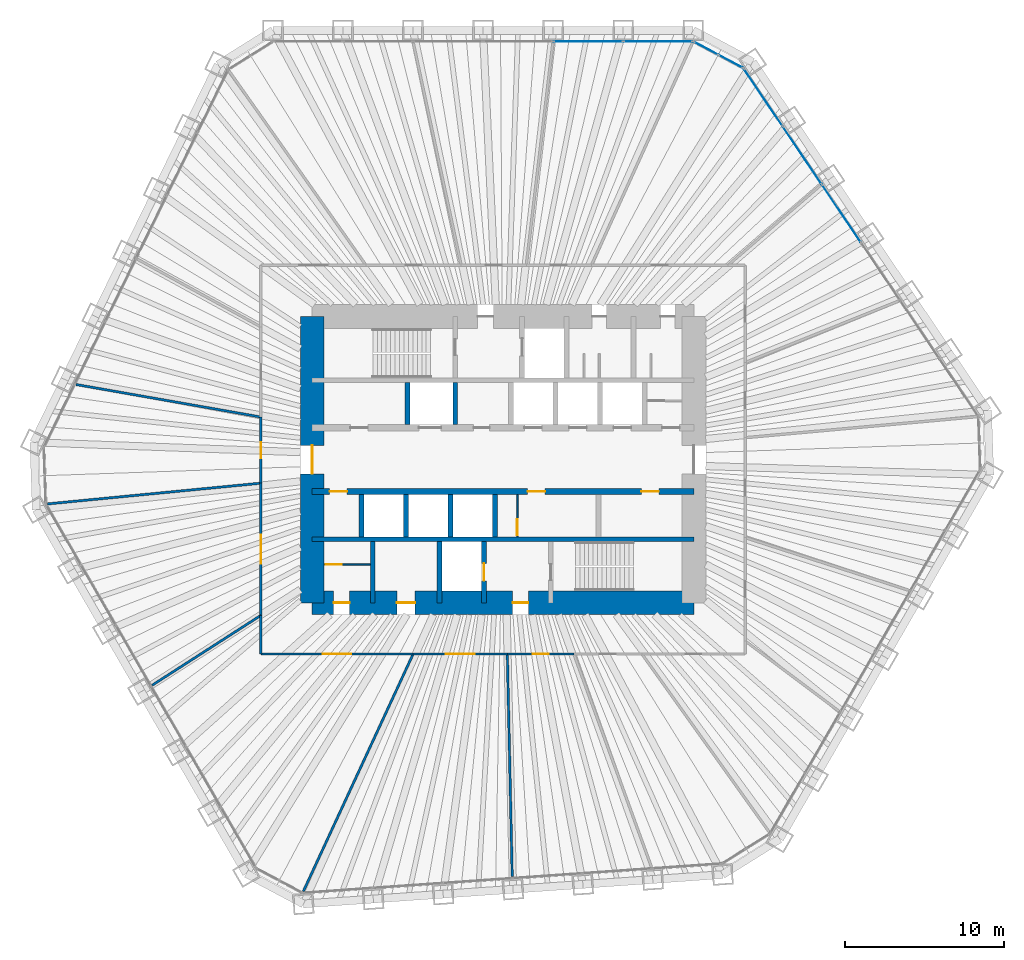
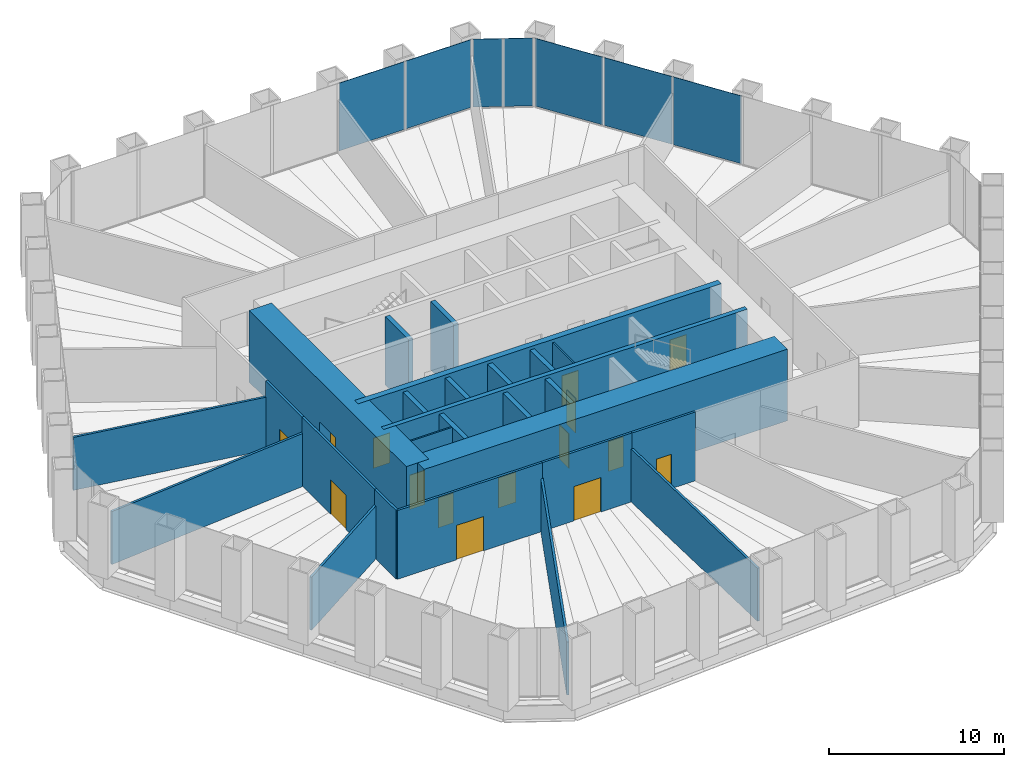
# One storey, part 10 of 13: 26 walls, 15 doors, 7 plates, 15 openings, 3 elements without a shape of their own.
"""IFC4 building model written with IfcOpenShell, lengths in metres."""

from ifc_helpers import new_model, si_unit, direction, frame, frame_2d, origin, origin_2d, place, context, subcontext, project, spatial, rectangle, extrude, material, layer, layer_set, type_object, element, fill, aggregate, save


model = new_model("IFC4")

# Units and contexts
model_context = context("Model", 3, precision=1e-05, world=origin(), true_north=direction((0.0, 1.0)))
body_context = subcontext(model_context, "Body", "Model", "MODEL_VIEW")
ifc_project = project(units=[si_unit("LENGTHUNIT", "METRE"), si_unit("AREAUNIT", "SQUARE_METRE"), si_unit("VOLUMEUNIT", "CUBIC_METRE"), si_unit("PLANEANGLEUNIT", "RADIAN"), si_unit("MASSUNIT", "GRAM", prefix="KILO")], contexts=[model_context])

# Site, building, storey
site_placement = place(None, origin())
site = spatial("IfcSite", under=ifc_project, at=site_placement, CompositionType="ELEMENT")
building_placement = place(site_placement, origin())
building = spatial("IfcBuilding", under=site, at=building_placement, Name="Qingtian Harvest Tower", CompositionType="ELEMENT")
storey_placement = place(building_placement, frame((0.0, 0.0, 62.0)))
storey = spatial("IfcBuildingStorey", under=building, at=storey_placement, Name="L12", CompositionType="ELEMENT", Elevation=62.0)

# Curtain wall, plates
ifc_material_1 = material(Name="Bronze-anodised aluminium curtain wall", Category="aluminium")
curtain_wall_type = type_object("IfcCurtainWallType", Name="Curtain wall CW2 farm reception", PredefinedType="USERDEFINED", material=ifc_material_1)
curtain_wall_1_placement = place(storey_placement, origin())
curtain_wall_1 = element("IfcCurtainWall", 1, at=curtain_wall_1_placement, inside=storey, type_object=curtain_wall_type, Name="Curtain wall CW2 L12 N0-5", ObjectType="RECESSED CURTAIN WALL", PredefinedType="USERDEFINED")
ifc_material_2 = material(Name="Bronze-tinted laminated insulating glass", Category="glass")
ifc_layer_1 = layer(ifc_material_2, 0.030029296875)
ifc_layer_set_1 = layer_set([ifc_layer_1], Name="Glazed panel CWP tinted IGU")
plate_type = type_object("IfcPlateType", Name="Glazed panel CWP tinted IGU", PredefinedType="CURTAIN_PANEL", material=ifc_layer_set_1)
plate_1_placement = place(storey_placement, frame((5.349365234375, 26.300048828125, 0.06494140625), z_axis=(0.0, 0.0, 1.0), x_axis=(1.0, 0.0, 0.0)))
plate_1 = element("IfcPlate", 2, at=plate_1_placement, type_object=plate_type, Name="CW2 panel 5.1", PredefinedType="CURTAIN_PANEL", context=body_context, shape_type="SweptSolid", body=[
    extrude(rectangle(XDim=4.339599609375, YDim=0.030029296875, at=origin_2d()), origin(), (0.0, 0.0, 1.0), 4.735107421875),
])
plate_2_placement = place(storey_placement, frame((9.737548828125, 26.300048828125, 0.06494140625), z_axis=(0.0, 0.0, 1.0), x_axis=(1.0, 0.0, 0.0)))
plate_2 = element("IfcPlate", 3, at=plate_2_placement, type_object=plate_type, Name="CW2 panel 6.1", PredefinedType="CURTAIN_PANEL", context=body_context, shape_type="SweptSolid", body=[
    extrude(rectangle(XDim=4.30712890625, YDim=0.030029296875, at=origin_2d()), origin(), (0.0, 0.0, 1.0), 4.735107421875),
])
aggregate(curtain_wall_1, [plate_1, plate_2])

curtain_wall_2_placement = place(storey_placement, origin())
curtain_wall_2 = element("IfcCurtainWall", 4, at=curtain_wall_2_placement, inside=storey, type_object=curtain_wall_type, Name="Curtain wall CW2 L12 NC", ObjectType="RECESSED CURTAIN WALL", PredefinedType="USERDEFINED")
plate_3_placement = place(storey_placement, frame((12.760986328125, 25.8720703125, 0.06494140625), z_axis=(0.0, 0.0, 1.0), x_axis=(0.882947592859, -0.469471562786, 0.0)))
plate_3 = element("IfcPlate", 5, at=plate_3_placement, type_object=plate_type, Name="CW2 panel 1.1", PredefinedType="CURTAIN_PANEL", context=body_context, shape_type="SweptSolid", body=[
    extrude(rectangle(XDim=1.69287109375, YDim=0.030029296875, at=origin_2d()), origin(), (0.0, 0.0, 1.0), 4.735107421875),
])
plate_4_placement = place(storey_placement, frame((14.31298828125, 25.046875, 0.06494140625), z_axis=(0.0, 0.0, 1.0), x_axis=(0.882947592859, -0.469471562786, 0.0)))
plate_4 = element("IfcPlate", 6, at=plate_4_placement, type_object=plate_type, Name="CW2 panel 2.1", PredefinedType="CURTAIN_PANEL", context=body_context, shape_type="SweptSolid", body=[
    extrude(rectangle(XDim=1.69287109375, YDim=0.030029296875, at=origin_2d()), origin(), (0.0, 0.0, 1.0), 4.735107421875),
])
aggregate(curtain_wall_2, [plate_3, plate_4])

curtain_wall_3_placement = place(storey_placement, origin())
curtain_wall_3 = element("IfcCurtainWall", 7, at=curtain_wall_3_placement, inside=storey, type_object=curtain_wall_type, Name="Curtain wall CW2 L12 NE0-5", ObjectType="RECESSED CURTAIN WALL", PredefinedType="USERDEFINED")
plate_5_placement = place(storey_placement, frame((16.3583984375, 22.779541015625, 0.06494140625), z_axis=(0.0, 0.0, 1.0), x_axis=(0.559192903471, -0.829037572555, 0.0)))
plate_5 = element("IfcPlate", 8, at=plate_5_placement, type_object=plate_type, Name="CW2 panel 1.1", PredefinedType="CURTAIN_PANEL", context=body_context, shape_type="SweptSolid", body=[
    extrude(rectangle(XDim=4.30712890625, YDim=0.030029296875, at=origin_2d()), origin(), (0.0, 0.0, 1.0), 4.735107421875),
])
plate_6_placement = place(storey_placement, frame((18.8125, 19.1416015625, 0.06494140625), z_axis=(0.0, 0.0, 1.0), x_axis=(0.559192903471, -0.829037572555, 0.0)))
plate_6 = element("IfcPlate", 9, at=plate_6_placement, type_object=plate_type, Name="CW2 panel 2.1", PredefinedType="CURTAIN_PANEL", context=body_context, shape_type="SweptSolid", body=[
    extrude(rectangle(XDim=4.339599609375, YDim=0.030029296875, at=origin_2d()), origin(), (0.0, 0.0, 1.0), 4.735107421875),
])
plate_7_placement = place(storey_placement, frame((21.275390625, 15.489990234375, 0.06494140625), z_axis=(0.0, 0.0, 1.0), x_axis=(0.559192903471, -0.829037572555, 0.0)))
plate_7 = element("IfcPlate", 10, at=plate_7_placement, type_object=plate_type, Name="CW2 panel 3.1", PredefinedType="CURTAIN_PANEL", context=body_context, shape_type="SweptSolid", body=[
    extrude(rectangle(XDim=4.339599609375, YDim=0.030029296875, at=origin_2d()), origin(), (0.0, 0.0, 1.0), 4.735107421875),
])
aggregate(curtain_wall_3, [plate_5, plate_6, plate_7])

# Wall
ifc_material_3 = material(Name="Concrete fc' 70 MPa", Category="concrete")
ifc_layer_2 = layer(ifc_material_3, 0.300048828125)
ifc_layer_set_2 = layer_set([ifc_layer_2], Name="Core inner wall RC5 300")
wall_type_1 = type_object("IfcWallType", Name="Core inner wall RC5 300", PredefinedType="SHEAR", material=ifc_layer_set_2)
wall_1_placement = place(storey_placement, frame((-12.0, -5.0, 0.0), z_axis=(0.0, 0.0, 1.0), x_axis=(1.0, 0.0, 0.0)))
element("IfcWall", 11, at=wall_1_placement, inside=storey, type_object=wall_type_1, Name="Core wall IS5 L12", PredefinedType="SHEAR", context=body_context, shape_type="SweptSolid", body=[
    extrude(rectangle(XDim=24.0, YDim=0.300048828125, at=frame_2d((12.0, 0.0))), origin(), (0.0, 0.0, 1.0), 5.0),
])

# Wall, openings, doors
ifc_material_4 = material(Name="Concrete fc' 70 MPa", Category="concrete")
ifc_layer_3 = layer(ifc_material_4, 0.39990234375)
ifc_layer_set_3 = layer_set([ifc_layer_3], Name="Core inner web RC6 400")
wall_type_2 = type_object("IfcWallType", Name="Core inner web RC6 400", PredefinedType="SHEAR", material=ifc_layer_set_3)
wall_2_placement = place(storey_placement, frame((-12.0, -2.0, 0.0), z_axis=(0.0, 0.0, 1.0), x_axis=(1.0, 0.0, 0.0)))
wall_2 = element("IfcWall", 12, at=wall_2_placement, inside=storey, type_object=wall_type_2, Name="Core wall IS2 L12", PredefinedType="SHEAR", context=body_context, shape_type="SweptSolid", body=[
    extrude(rectangle(XDim=24.0, YDim=0.39990234375, at=frame_2d((12.0, 0.0))), origin(), (0.0, 0.0, 1.0), 5.0),
])
opening_1_placement = place(wall_2_placement, frame((1.10009765625, 0.0, 0.0)))
opening_1 = element("IfcOpeningElement", 13, at=opening_1_placement, cuts=wall_2, Name="Opening FD4", PredefinedType="OPENING", context=body_context, shape_type="SweptSolid", body=[
    extrude(rectangle(XDim=1.10009765625, YDim=2.10009765625, at=frame_2d((0.550048828125, 1.050048828125))), frame((0.0, 0.2099609375, 0.0), z_axis=(0.0, -1.0, 0.0), x_axis=(1.0, 0.0, 0.0)), (0.0, 0.0, 1.0), 0.419921875),
])
opening_2_placement = place(wall_2_placement, frame((13.550048828125, 0.0, 0.0)))
opening_2 = element("IfcOpeningElement", 14, at=opening_2_placement, cuts=wall_2, Name="Opening FD4", PredefinedType="OPENING", context=body_context, shape_type="SweptSolid", body=[
    extrude(rectangle(XDim=1.10009765625, YDim=2.10009765625, at=frame_2d((0.550048828125, 1.050048828125))), frame((0.0, 0.2099609375, 0.0), z_axis=(0.0, -1.0, 0.0), x_axis=(1.0, 0.0, 0.0)), (0.0, 0.0, 1.0), 0.419921875),
])
opening_3_placement = place(wall_2_placement, frame((20.699951171875, 0.0, 0.0)))
opening_3 = element("IfcOpeningElement", 15, at=opening_3_placement, cuts=wall_2, Name="Opening FD4", PredefinedType="OPENING", context=body_context, shape_type="SweptSolid", body=[
    extrude(rectangle(XDim=1.10009765625, YDim=2.10009765625, at=frame_2d((0.550048828125, 1.050048828125))), frame((0.0, 0.2099609375, 0.0), z_axis=(0.0, -1.0, 0.0), x_axis=(1.0, 0.0, 0.0)), (0.0, 0.0, 1.0), 0.419921875),
])
ifc_material_5 = material(Name="Steel-faced door leaf", Category="steel")
door_type_1 = type_object("IfcDoorType", Name="Fire door FD4 single 2 HR", OperationType="SINGLE_SWING_LEFT", PredefinedType="DOOR", material=ifc_material_5)
door_1_placement = place(opening_1_placement, origin())
door_1 = element("IfcDoor", 16, at=door_1_placement, inside=storey, type_object=door_type_1, Name="RB door L12", OperationType="SINGLE_SWING_LEFT", OverallHeight=2.10009765625, OverallWidth=1.10009765625, PredefinedType="DOOR", context=body_context, shape_type="SweptSolid", body=[
    extrude(rectangle(XDim=1.10009765625, YDim=2.10009765625, at=frame_2d((0.550048828125, 1.050048828125))), frame((0.0, 0.02490234375, 0.0), z_axis=(0.0, -1.0, 0.0), x_axis=(1.0, 0.0, 0.0)), (0.0, 0.0, 1.0), 0.050048828125),
])
fill(opening_1, door_1)
door_2_placement = place(opening_2_placement, origin())
door_2 = element("IfcDoor", 17, at=door_2_placement, inside=storey, type_object=door_type_1, Name="ELEC door L12", OperationType="SINGLE_SWING_LEFT", OverallHeight=2.10009765625, OverallWidth=1.10009765625, PredefinedType="DOOR", context=body_context, shape_type="SweptSolid", body=[
    extrude(rectangle(XDim=1.10009765625, YDim=2.10009765625, at=frame_2d((0.550048828125, 1.050048828125))), frame((0.0, 0.02490234375, 0.0), z_axis=(0.0, -1.0, 0.0), x_axis=(1.0, 0.0, 0.0)), (0.0, 0.0, 1.0), 0.050048828125),
])
fill(opening_2, door_2)
door_3_placement = place(opening_3_placement, origin())
door_3 = element("IfcDoor", 18, at=door_3_placement, inside=storey, type_object=door_type_1, Name="DUCT door L12", OperationType="SINGLE_SWING_RIGHT", OverallHeight=2.10009765625, OverallWidth=1.10009765625, PredefinedType="DOOR", context=body_context, shape_type="SweptSolid", body=[
    extrude(rectangle(XDim=1.10009765625, YDim=2.10009765625, at=frame_2d((0.550048828125, 1.050048828125))), frame((0.0, 0.02490234375, 0.0), z_axis=(0.0, -1.0, 0.0), x_axis=(1.0, 0.0, 0.0)), (0.0, 0.0, 1.0), 0.050048828125),
])
fill(opening_3, door_3)

# Walls
ifc_material_6 = material(Name="Precast concrete shaft panel", Category="concrete")
ifc_layer_4 = layer(ifc_material_6, 0.300048828125)
ifc_layer_set_4 = layer_set([ifc_layer_4], Name="Core shaft partition SW1 300")
wall_type_3 = type_object("IfcWallType", Name="Core shaft partition SW1 300", PredefinedType="PARTITIONING", material=ifc_layer_set_4)
for number, where, z_axis, x_axis, name in (
    (19, (-6.0, 2.199951171875, 0.0), (0.0, 0.0, 1.0), (0.0, 1.0, 0.0), "Core shaft partition XA1 L12"),
    (20, (-3.0, 2.199951171875, 0.0), (0.0, 0.0, 1.0), (0.0, 1.0, 0.0), "Core shaft partition XA2 L12"),
    (21, (-8.89990234375, -4.85009765625, 0.0), (0.0, 0.0, 1.0), (0.0, 1.0, 0.0), "Core shaft partition XB1 L12"),
    (22, (-6.10009765625, -4.85009765625, 0.0), (0.0, 0.0, 1.0), (0.0, 1.0, 0.0), "Core shaft partition XB2 L12"),
    (23, (-3.300048828125, -4.85009765625, 0.0), (0.0, 0.0, 1.0), (0.0, 1.0, 0.0), "Core shaft partition XB3 L12"),
    (24, (-0.5, -4.85009765625, 0.0), (0.0, 0.0, 1.0), (0.0, 1.0, 0.0), "Core shaft partition XB4 L12"),
):
    element("IfcWall", number, at=place(storey_placement, frame(where, z_axis=z_axis, x_axis=x_axis)), inside=storey, type_object=wall_type_3, Name=name, PredefinedType="PARTITIONING", context=body_context, shape_type="SweptSolid", body=[
        extrude(rectangle(XDim=2.650146484375, YDim=0.300048828125, at=frame_2d((1.3251953125, 0.0))), origin(), (0.0, 0.0, 1.0), 4.780029296875),
    ])
for number, where, z_axis, x_axis, name in (
    (25, (-8.199951171875, -9.0, 0.0), (0.0, 0.0, 1.0), (0.0, 1.0, 0.0), "Core shaft partition XS1 L12"),
    (26, (-4.0, -9.0, 0.0), (0.0, 0.0, 1.0), (0.0, 1.0, 0.0), "Core shaft partition XS2 L12"),
):
    element("IfcWall", number, at=place(storey_placement, frame(where, z_axis=z_axis, x_axis=x_axis)), inside=storey, type_object=wall_type_3, Name=name, PredefinedType="PARTITIONING", context=body_context, shape_type="SweptSolid", body=[
        extrude(rectangle(XDim=3.85009765625, YDim=0.300048828125, at=frame_2d((1.925048828125, 0.0))), origin(), (0.0, 0.0, 1.0), 4.780029296875),
    ])

# Wall, opening, door
wall_3_placement = place(storey_placement, frame((-1.199951171875, -9.0, 0.0), z_axis=(0.0, 0.0, 1.0), x_axis=(0.0, 1.0, 0.0)))
wall_3 = element("IfcWall", 27, at=wall_3_placement, inside=storey, type_object=wall_type_3, Name="Core shaft partition XS3 L12", PredefinedType="PARTITIONING", context=body_context, shape_type="SweptSolid", body=[
    extrude(rectangle(XDim=3.85009765625, YDim=0.300048828125, at=frame_2d((1.925048828125, 0.0))), origin(), (0.0, 0.0, 1.0), 4.780029296875),
])
opening_4_placement = place(wall_3_placement, frame((1.375, 0.0, 0.0)))
opening_4 = element("IfcOpeningElement", 28, at=opening_4_placement, cuts=wall_3, Name="Opening LD1", PredefinedType="OPENING", context=body_context, shape_type="SweptSolid", body=[
    extrude(rectangle(XDim=1.10009765625, YDim=2.39990234375, at=frame_2d((0.550048828125, 1.199951171875))), frame((0.0, 0.159912109375, 0.0), z_axis=(0.0, -1.0, 0.0), x_axis=(1.0, 0.0, 0.0)), (0.0, 0.0, 1.0), 0.320068359375),
])
ifc_material_7 = material(Name="Stainless steel lift landing door", Category="steel")
door_type_2 = type_object("IfcDoorType", Name="Lift landing door LD1 1 HR", OperationType="DOUBLE_DOOR_SLIDING", PredefinedType="DOOR", material=ifc_material_7)
door_4_placement = place(opening_4_placement, origin())
door_4 = element("IfcDoor", 29, at=door_4_placement, inside=storey, type_object=door_type_2, Name="FL2 landing door L12", OperationType="DOUBLE_DOOR_SLIDING", OverallHeight=2.39990234375, OverallWidth=1.10009765625, PredefinedType="DOOR", context=body_context, shape_type="SweptSolid", body=[
    extrude(rectangle(XDim=1.10009765625, YDim=2.39990234375, at=frame_2d((0.550048828125, 1.199951171875))), frame((0.0, 0.02490234375, 0.0), z_axis=(0.0, -1.0, 0.0), x_axis=(1.0, 0.0, 0.0)), (0.0, 0.0, 1.0), 0.050048828125),
])
fill(opening_4, door_4)

# Wall, openings, doors
ifc_material_8 = material(Name="Concrete fc' 70 MPa", Category="concrete")
ifc_layer_5 = layer(ifc_material_8, 1.5)
ifc_layer_set_5 = layer_set([ifc_layer_5], Name="Core wall RC1 1500")
wall_type_4 = type_object("IfcWallType", Name="Core wall RC1 1500", PredefinedType="SHEAR", material=ifc_layer_set_5)
wall_4_placement = place(storey_placement, frame((-12.0, -9.0, 0.0), z_axis=(0.0, 0.0, 1.0), x_axis=(1.0, 0.0, 0.0)))
wall_4 = element("IfcWall", 30, at=wall_4_placement, inside=storey, type_object=wall_type_4, Name="Core wall CS L12", PredefinedType="SHEAR", context=body_context, shape_type="SweptSolid", body=[
    extrude(rectangle(XDim=24.0, YDim=1.5, at=frame_2d((12.0, 0.0))), origin(), (0.0, 0.0, 1.0), 5.0),
])
opening_5_placement = place(wall_4_placement, frame((1.35009765625, 0.0, 0.0)))
opening_5 = element("IfcOpeningElement", 31, at=opening_5_placement, cuts=wall_4, Name="Opening FD1", PredefinedType="OPENING", context=body_context, shape_type="SweptSolid", body=[
    extrude(rectangle(XDim=1.0, YDim=2.10009765625, at=frame_2d((0.5, 1.050048828125))), frame((0.0, 0.760009765625, 0.0), z_axis=(0.0, -1.0, 0.0), x_axis=(1.0, 0.0, 0.0)), (0.0, 0.0, 1.0), 1.52001953125),
])
opening_6_placement = place(wall_4_placement, frame((5.324951171875, 0.0, 0.0)))
opening_6 = element("IfcOpeningElement", 32, at=opening_6_placement, cuts=wall_4, Name="Opening AD1", PredefinedType="OPENING", context=body_context, shape_type="SweptSolid", body=[
    extrude(rectangle(XDim=1.14990234375, YDim=2.10009765625, at=frame_2d((0.574951171875, 1.050048828125))), frame((0.0, 0.760009765625, 0.0), z_axis=(0.0, -1.0, 0.0), x_axis=(1.0, 0.0, 0.0)), (0.0, 0.0, 1.0), 1.52001953125),
])
opening_7_placement = place(wall_4_placement, frame((12.60009765625, 0.0, 0.0)))
opening_7 = element("IfcOpeningElement", 33, at=opening_7_placement, cuts=wall_4, Name="Opening FD1", PredefinedType="OPENING", context=body_context, shape_type="SweptSolid", body=[
    extrude(rectangle(XDim=1.0, YDim=2.10009765625, at=frame_2d((0.5, 1.050048828125))), frame((0.0, 0.760009765625, 0.0), z_axis=(0.0, -1.0, 0.0), x_axis=(1.0, 0.0, 0.0)), (0.0, 0.0, 1.0), 1.52001953125),
])
ifc_material_9 = material(Name="Laminated timber door leaf", Category="wood")
door_type_3 = type_object("IfcDoorType", Name="Accessible WC door AD1 single", OperationType="SINGLE_SWING_LEFT", PredefinedType="DOOR", material=ifc_material_9)
door_5_placement = place(opening_6_placement, origin())
door_5 = element("IfcDoor", 34, at=door_5_placement, inside=storey, type_object=door_type_3, Name="AWC door L12", OperationType="SINGLE_SWING_LEFT", OverallHeight=2.10009765625, OverallWidth=1.14990234375, PredefinedType="DOOR", context=body_context, shape_type="SweptSolid", body=[
    extrude(rectangle(XDim=1.14990234375, YDim=2.10009765625, at=frame_2d((0.574951171875, 1.050048828125))), frame((0.0, 0.02490234375, 0.0), z_axis=(0.0, -1.0, 0.0), x_axis=(1.0, 0.0, 0.0)), (0.0, 0.0, 1.0), 0.050048828125),
])
fill(opening_6, door_5)
ifc_material_10 = material(Name="Steel-faced door leaf", Category="steel")
door_type_4 = type_object("IfcDoorType", Name="Fire door FD1 single 1 HR", OperationType="SINGLE_SWING_LEFT", PredefinedType="DOOR", material=ifc_material_10)
door_6_placement = place(opening_5_placement, origin())
door_6 = element("IfcDoor", 35, at=door_6_placement, inside=storey, type_object=door_type_4, Name="CLN door L12", OperationType="SINGLE_SWING_RIGHT", OverallHeight=2.10009765625, OverallWidth=1.0, PredefinedType="DOOR", context=body_context, shape_type="SweptSolid", body=[
    extrude(rectangle(XDim=1.0, YDim=2.10009765625, at=frame_2d((0.5, 1.050048828125))), frame((0.0, 0.02490234375, 0.0), z_axis=(0.0, -1.0, 0.0), x_axis=(1.0, 0.0, 0.0)), (0.0, 0.0, 1.0), 0.050048828125),
])
fill(opening_5, door_6)
door_7_placement = place(opening_7_placement, origin())
door_7 = element("IfcDoor", 36, at=door_7_placement, inside=storey, type_object=door_type_4, Name="V2 door L12", OperationType="SINGLE_SWING_RIGHT", OverallHeight=2.10009765625, OverallWidth=1.0, PredefinedType="DOOR", context=body_context, shape_type="SweptSolid", body=[
    extrude(rectangle(XDim=1.0, YDim=2.10009765625, at=frame_2d((0.5, 1.050048828125))), frame((0.0, 0.02490234375, 0.0), z_axis=(0.0, -1.0, 0.0), x_axis=(1.0, 0.0, 0.0)), (0.0, 0.0, 1.0), 0.050048828125),
])
fill(opening_7, door_7)

# Wall, opening, door
wall_5_placement = place(storey_placement, frame((-12.0, -9.0, 0.0), z_axis=(0.0, 0.0, 1.0), x_axis=(0.0, 1.0, 0.0)))
wall_5 = element("IfcWall", 37, at=wall_5_placement, inside=storey, type_object=wall_type_4, Name="Core wall CW L12", PredefinedType="SHEAR", context=body_context, shape_type="SweptSolid", body=[
    extrude(rectangle(XDim=18.0, YDim=1.5, at=frame_2d((9.0, 0.0))), origin(), (0.0, 0.0, 1.0), 5.0),
])
opening_8_placement = place(wall_5_placement, frame((8.10009765625, 0.0, 0.0)))
opening_8 = element("IfcOpeningElement", 38, at=opening_8_placement, cuts=wall_5, Name="Opening FD2", PredefinedType="OPENING", context=body_context, shape_type="SweptSolid", body=[
    extrude(rectangle(XDim=1.800048828125, YDim=2.10009765625, at=frame_2d((0.89990234375, 1.050048828125))), frame((0.0, 0.760009765625, 0.0), z_axis=(0.0, -1.0, 0.0), x_axis=(1.0, 0.0, 0.0)), (0.0, 0.0, 1.0), 1.52001953125),
])
ifc_material_11 = material(Name="Steel-faced door leaf", Category="steel")
door_type_5 = type_object("IfcDoorType", Name="Fire door FD2 double 1 HR", OperationType="DOUBLE_DOOR_DOUBLE_SWING", PredefinedType="DOOR", material=ifc_material_11)
door_8_placement = place(opening_8_placement, origin())
door_8 = element("IfcDoor", 39, at=door_8_placement, inside=storey, type_object=door_type_5, Name="LOBBY-W door L12", OperationType="DOUBLE_DOOR_DOUBLE_SWING", OverallHeight=2.10009765625, OverallWidth=1.800048828125, PredefinedType="DOOR", context=body_context, shape_type="SweptSolid", body=[
    extrude(rectangle(XDim=1.800048828125, YDim=2.10009765625, at=frame_2d((0.89990234375, 1.050048828125))), frame((0.0, 0.02490234375, 0.0), z_axis=(0.0, -1.0, 0.0), x_axis=(1.0, 0.0, 0.0)), (0.0, 0.0, 1.0), 0.050048828125),
])
fill(opening_8, door_8)

ifc_material_12 = material(Name="Gypsum board on steel studs", Category="steel")
ifc_layer_6 = layer(ifc_material_12, 0.14990234375)
ifc_layer_set_6 = layer_set([ifc_layer_6], Name="Partition PT1 150")
wall_type_5 = type_object("IfcWallType", Name="Partition PT1 150", PredefinedType="PARTITIONING", material=ifc_layer_set_6)
wall_6_placement = place(storey_placement, frame((4.45458984375, -12.22509765625, 0.0), z_axis=(0.0, 0.0, 1.0), x_axis=(-1.0, 0.0, 0.0)))
wall_6 = element("IfcWall", 40, at=wall_6_placement, inside=storey, type_object=wall_type_5, Name="Mushroom growing room wall L12", PredefinedType="PARTITIONING", context=body_context, shape_type="SweptSolid", body=[
    extrude(rectangle(XDim=4.185302734375, YDim=0.14990234375, at=frame_2d((2.0927734375, 0.0))), origin(), (0.0, 0.0, 1.0), 4.800048828125),
])
opening_9_placement = place(wall_6_placement, frame((1.592529296875, 0.0, 0.0)))
opening_9 = element("IfcOpeningElement", 41, at=opening_9_placement, cuts=wall_6, Name="Opening D2", PredefinedType="OPENING", context=body_context, shape_type="SweptSolid", body=[
    extrude(rectangle(XDim=1.0, YDim=2.39990234375, at=frame_2d((0.5, 1.199951171875))), frame((0.0, 0.0849609375, 0.0), z_axis=(0.0, -1.0, 0.0), x_axis=(1.0, 0.0, 0.0)), (0.0, 0.0, 1.0), 0.169921875),
])
ifc_material_13 = material(Name="Laminated timber door leaf", Category="wood")
door_type_6 = type_object("IfcDoorType", Name="Room door D2 single", OperationType="SINGLE_SWING_LEFT", PredefinedType="DOOR", material=ifc_material_13)
door_9_placement = place(opening_9_placement, origin())
door_9 = element("IfcDoor", 42, at=door_9_placement, inside=storey, type_object=door_type_6, Name="Mushroom growing room door L12", OperationType="SINGLE_SWING_RIGHT", OverallHeight=2.39990234375, OverallWidth=1.0, PredefinedType="DOOR", context=body_context, shape_type="SweptSolid", body=[
    extrude(rectangle(XDim=1.0, YDim=2.39990234375, at=frame_2d((0.5, 1.199951171875))), frame((0.0, 0.02490234375, 0.0), z_axis=(0.0, -1.0, 0.0), x_axis=(1.0, 0.0, 0.0)), (0.0, 0.0, 1.0), 0.050048828125),
])
fill(opening_9, door_9)

# Wall
wall_7_placement = place(storey_placement, frame((0.577880859375, -26.2236328125, 0.0), z_axis=(0.0, 0.0, 1.0), x_axis=(-0.022039362711, 0.999757103746, 0.0)))
element("IfcWall", 43, at=wall_7_placement, inside=storey, type_object=wall_type_5, Name="Mushroom growing room wall L12", PredefinedType="PARTITIONING", context=body_context, shape_type="SweptSolid", body=[
    extrude(rectangle(XDim=14.001953125, YDim=0.14990234375, at=frame_2d((7.0009765625, 0.0))), origin(), (0.0, 0.0, 1.0), 3.699951171875),
])

# Wall, opening, door
wall_8_placement = place(storey_placement, frame((0.269287109375, -12.22509765625, 0.0), z_axis=(0.0, 0.0, 1.0), x_axis=(-1.0, 0.0, 0.0)))
wall_8 = element("IfcWall", 44, at=wall_8_placement, inside=storey, type_object=wall_type_5, Name="Mushroom growing room wall L12", PredefinedType="PARTITIONING", context=body_context, shape_type="SweptSolid", body=[
    extrude(rectangle(XDim=5.923583984375, YDim=0.14990234375, at=frame_2d((2.9619140625, 0.0))), origin(), (0.0, 0.0, 1.0), 4.800048828125),
])
opening_10_placement = place(wall_8_placement, frame((2.061767578125, 0.0, 0.0)))
opening_10 = element("IfcOpeningElement", 45, at=opening_10_placement, cuts=wall_8, Name="Opening D3", PredefinedType="OPENING", context=body_context, shape_type="SweptSolid", body=[
    extrude(rectangle(XDim=1.800048828125, YDim=2.39990234375, at=frame_2d((0.89990234375, 1.199951171875))), frame((0.0, 0.0849609375, 0.0), z_axis=(0.0, -1.0, 0.0), x_axis=(1.0, 0.0, 0.0)), (0.0, 0.0, 1.0), 0.169921875),
])
ifc_material_14 = material(Name="Laminated timber door leaf", Category="wood")
door_type_7 = type_object("IfcDoorType", Name="Room door D3 double", OperationType="DOUBLE_DOOR_DOUBLE_SWING", PredefinedType="DOOR", material=ifc_material_14)
door_10_placement = place(opening_10_placement, origin())
door_10 = element("IfcDoor", 46, at=door_10_placement, inside=storey, type_object=door_type_7, Name="Mushroom growing room door L12", OperationType="DOUBLE_DOOR_DOUBLE_SWING", OverallHeight=2.39990234375, OverallWidth=1.800048828125, PredefinedType="DOOR", context=body_context, shape_type="SweptSolid", body=[
    extrude(rectangle(XDim=1.800048828125, YDim=2.39990234375, at=frame_2d((0.89990234375, 1.199951171875))), frame((0.0, 0.02490234375, 0.0), z_axis=(0.0, -1.0, 0.0), x_axis=(1.0, 0.0, 0.0)), (0.0, 0.0, 1.0), 0.050048828125),
])
fill(opening_10, door_10)

# Wall
wall_9_placement = place(storey_placement, frame((-12.5595703125, -27.154541015625, 0.0), z_axis=(0.0, 0.0, 1.0), x_axis=(0.419797833376, 0.907617639258, 0.0)))
element("IfcWall", 47, at=wall_9_placement, inside=storey, type_object=wall_type_5, Name="Substrate store wall L12", PredefinedType="PARTITIONING", context=body_context, shape_type="SweptSolid", body=[
    extrude(rectangle(XDim=16.448974609375, YDim=0.14990234375, at=frame_2d((8.224609375, 0.0))), origin(), (0.0, 0.0, 1.0), 3.699951171875),
])

# Wall, opening, door
wall_10_placement = place(storey_placement, frame((-5.654296875, -12.22509765625, 0.0), z_axis=(0.0, 0.0, 1.0), x_axis=(-1.0, 0.0, 0.0)))
wall_10 = element("IfcWall", 48, at=wall_10_placement, inside=storey, type_object=wall_type_5, Name="Substrate store wall L12", PredefinedType="PARTITIONING", context=body_context, shape_type="SweptSolid", body=[
    extrude(rectangle(XDim=9.57080078125, YDim=0.14990234375, at=frame_2d((4.785400390625, 0.0))), origin(), (0.0, 0.0, 1.0), 4.800048828125),
])
opening_11_placement = place(wall_10_placement, frame((3.88525390625, 0.0, 0.0)))
opening_11 = element("IfcOpeningElement", 49, at=opening_11_placement, cuts=wall_10, Name="Opening D3", PredefinedType="OPENING", context=body_context, shape_type="SweptSolid", body=[
    extrude(rectangle(XDim=1.800048828125, YDim=2.39990234375, at=frame_2d((0.89990234375, 1.199951171875))), frame((0.0, 0.0849609375, 0.0), z_axis=(0.0, -1.0, 0.0), x_axis=(1.0, 0.0, 0.0)), (0.0, 0.0, 1.0), 0.169921875),
])
door_11_placement = place(opening_11_placement, origin())
door_11 = element("IfcDoor", 50, at=door_11_placement, inside=storey, type_object=door_type_7, Name="Substrate store door L12", OperationType="DOUBLE_DOOR_DOUBLE_SWING", OverallHeight=2.39990234375, OverallWidth=1.800048828125, PredefinedType="DOOR", context=body_context, shape_type="SweptSolid", body=[
    extrude(rectangle(XDim=1.800048828125, YDim=2.39990234375, at=frame_2d((0.89990234375, 1.199951171875))), frame((0.0, 0.02490234375, 0.0), z_axis=(0.0, -1.0, 0.0), x_axis=(1.0, 0.0, 0.0)), (0.0, 0.0, 1.0), 0.050048828125),
])
fill(opening_11, door_11)

# Walls
wall_11_placement = place(storey_placement, frame((-15.22509765625, -12.22509765625, 0.0), z_axis=(0.0, 0.0, 1.0), x_axis=(0.0, 1.0, 0.0)))
element("IfcWall", 51, at=wall_11_placement, inside=storey, type_object=wall_type_5, Name="Substrate store wall L12", PredefinedType="PARTITIONING", context=body_context, shape_type="SweptSolid", body=[
    extrude(rectangle(XDim=2.4365234375, YDim=0.14990234375, at=frame_2d((1.21826171875, 0.0))), origin(), (0.0, 0.0, 1.0), 4.800048828125),
])
wall_12_placement = place(storey_placement, frame((-22.0634765625, -14.18505859375, 0.0), z_axis=(0.0, 0.0, 1.0), x_axis=(0.8411570088, 0.540790982309, 0.0)))
element("IfcWall", 52, at=wall_12_placement, inside=storey, type_object=wall_type_5, Name="Pasteurisation room wall L12", PredefinedType="PARTITIONING", context=body_context, shape_type="SweptSolid", body=[
    extrude(rectangle(XDim=8.129638671875, YDim=0.14990234375, at=frame_2d((4.06494140625, 0.0))), origin(), (0.0, 0.0, 1.0), 3.699951171875),
])

# Wall, opening, door
wall_13_placement = place(storey_placement, frame((-15.22509765625, -9.78857421875, 0.0), z_axis=(0.0, 0.0, 1.0), x_axis=(0.0, 1.0, 0.0)))
wall_13 = element("IfcWall", 53, at=wall_13_placement, inside=storey, type_object=wall_type_5, Name="Pasteurisation room wall L12", PredefinedType="PARTITIONING", context=body_context, shape_type="SweptSolid", body=[
    extrude(rectangle(XDim=8.308349609375, YDim=0.14990234375, at=frame_2d((4.154296875, 0.0))), origin(), (0.0, 0.0, 1.0), 4.800048828125),
])
opening_12_placement = place(wall_13_placement, frame((3.254150390625, 0.0, 0.0)))
opening_12 = element("IfcOpeningElement", 54, at=opening_12_placement, cuts=wall_13, Name="Opening D3", PredefinedType="OPENING", context=body_context, shape_type="SweptSolid", body=[
    extrude(rectangle(XDim=1.800048828125, YDim=2.39990234375, at=frame_2d((0.89990234375, 1.199951171875))), frame((0.0, 0.0849609375, 0.0), z_axis=(0.0, -1.0, 0.0), x_axis=(1.0, 0.0, 0.0)), (0.0, 0.0, 1.0), 0.169921875),
])
door_12_placement = place(opening_12_placement, origin())
door_12 = element("IfcDoor", 55, at=door_12_placement, inside=storey, type_object=door_type_7, Name="Pasteurisation room door L12", OperationType="DOUBLE_DOOR_DOUBLE_SWING", OverallHeight=2.39990234375, OverallWidth=1.800048828125, PredefinedType="DOOR", context=body_context, shape_type="SweptSolid", body=[
    extrude(rectangle(XDim=1.800048828125, YDim=2.39990234375, at=frame_2d((0.89990234375, 1.199951171875))), frame((0.0, 0.02490234375, 0.0), z_axis=(0.0, -1.0, 0.0), x_axis=(1.0, 0.0, 0.0)), (0.0, 0.0, 1.0), 0.050048828125),
])
fill(opening_12, door_12)

# Wall
wall_14_placement = place(storey_placement, frame((-28.655029296875, -2.785888671875, 0.0), z_axis=(0.0, 0.0, 1.0), x_axis=(0.995307331187, 0.096764231438, 0.0)))
element("IfcWall", 56, at=wall_14_placement, inside=storey, type_object=wall_type_5, Name="Gowning room wall L12", PredefinedType="PARTITIONING", context=body_context, shape_type="SweptSolid", body=[
    extrude(rectangle(XDim=13.4931640625, YDim=0.14990234375, at=frame_2d((6.74658203125, 0.0))), origin(), (0.0, 0.0, 1.0), 3.699951171875),
])

# Wall, opening, door
wall_15_placement = place(storey_placement, frame((-15.22509765625, -1.480224609375, 0.0), z_axis=(0.0, 0.0, 1.0), x_axis=(0.0, 1.0, 0.0)))
wall_15 = element("IfcWall", 57, at=wall_15_placement, inside=storey, type_object=wall_type_5, Name="Gowning room wall L12", PredefinedType="PARTITIONING", context=body_context, shape_type="SweptSolid", body=[
    extrude(rectangle(XDim=4.1591796875, YDim=0.14990234375, at=frame_2d((2.07958984375, 0.0))), origin(), (0.0, 0.0, 1.0), 4.800048828125),
])
opening_13_placement = place(wall_15_placement, frame((1.57958984375, 0.0, 0.0)))
opening_13 = element("IfcOpeningElement", 58, at=opening_13_placement, cuts=wall_15, Name="Opening D2", PredefinedType="OPENING", context=body_context, shape_type="SweptSolid", body=[
    extrude(rectangle(XDim=1.0, YDim=2.39990234375, at=frame_2d((0.5, 1.199951171875))), frame((0.0, 0.0849609375, 0.0), z_axis=(0.0, -1.0, 0.0), x_axis=(1.0, 0.0, 0.0)), (0.0, 0.0, 1.0), 0.169921875),
])
door_13_placement = place(opening_13_placement, origin())
door_13 = element("IfcDoor", 59, at=door_13_placement, inside=storey, type_object=door_type_6, Name="Gowning room door L12", OperationType="SINGLE_SWING_LEFT", OverallHeight=2.39990234375, OverallWidth=1.0, PredefinedType="DOOR", context=body_context, shape_type="SweptSolid", body=[
    extrude(rectangle(XDim=1.0, YDim=2.39990234375, at=frame_2d((0.5, 1.199951171875))), frame((0.0, 0.02490234375, 0.0), z_axis=(0.0, -1.0, 0.0), x_axis=(1.0, 0.0, 0.0)), (0.0, 0.0, 1.0), 0.050048828125),
])
fill(opening_13, door_13)

# Wall
wall_16_placement = place(storey_placement, frame((-26.85009765625, 4.724609375, 0.0), z_axis=(0.0, 0.0, 1.0), x_axis=(0.984867773441, -0.173307440223, 0.0)))
element("IfcWall", 60, at=wall_16_placement, inside=storey, type_object=wall_type_5, Name="Harvest wash room wall L12", PredefinedType="PARTITIONING", context=body_context, shape_type="SweptSolid", body=[
    extrude(rectangle(XDim=11.8037109375, YDim=0.14990234375, at=frame_2d((5.90185546875, 0.0))), origin(), (0.0, 0.0, 1.0), 3.699951171875),
])

# Wall, opening, door
ifc_material_15 = material(Name="Concrete block partition", Category="concrete")
ifc_layer_7 = layer(ifc_material_15, 0.10009765625)
ifc_layer_set_7 = layer_set([ifc_layer_7], Name="Store partition PT3 100")
wall_type_6 = type_object("IfcWallType", Name="Store partition PT3 100", PredefinedType="PARTITIONING", material=ifc_layer_set_7)
wall_17_placement = place(storey_placement, frame((0.89990234375, -4.85009765625, 0.0), z_axis=(0.0, 0.0, 1.0), x_axis=(0.0, 1.0, 0.0)))
wall_17 = element("IfcWall", 61, at=wall_17_placement, inside=storey, type_object=wall_type_6, Name="Control room wall L12", PredefinedType="PARTITIONING", context=body_context, shape_type="SweptSolid", body=[
    extrude(rectangle(XDim=2.650146484375, YDim=0.10009765625, at=frame_2d((1.3251953125, 0.0))), origin(), (0.0, 0.0, 1.0), 4.780029296875),
])
opening_14_placement = place(wall_17_placement, frame((0.10009765625, 0.0, 0.0)))
opening_14 = element("IfcOpeningElement", 62, at=opening_14_placement, cuts=wall_17, Name="Opening D2", PredefinedType="OPENING", context=body_context, shape_type="SweptSolid", body=[
    extrude(rectangle(XDim=1.0, YDim=2.39990234375, at=frame_2d((0.5, 1.199951171875))), frame((0.0, 0.06005859375, 0.0), z_axis=(0.0, -1.0, 0.0), x_axis=(1.0, 0.0, 0.0)), (0.0, 0.0, 1.0), 0.1201171875),
])
door_14_placement = place(opening_14_placement, origin())
door_14 = element("IfcDoor", 63, at=door_14_placement, inside=storey, type_object=door_type_6, Name="Control room door L12", OperationType="SINGLE_SWING_RIGHT", OverallHeight=2.39990234375, OverallWidth=1.0, PredefinedType="DOOR", context=body_context, shape_type="SweptSolid", body=[
    extrude(rectangle(XDim=1.0, YDim=2.39990234375, at=frame_2d((0.5, 1.199951171875))), frame((0.0, 0.02490234375, 0.0), z_axis=(0.0, -1.0, 0.0), x_axis=(1.0, 0.0, 0.0)), (0.0, 0.0, 1.0), 0.050048828125),
])
fill(opening_14, door_14)

wall_18_placement = place(storey_placement, frame((-11.25, -6.60009765625, 0.0), z_axis=(0.0, 0.0, 1.0), x_axis=(1.0, 0.0, 0.0)))
wall_18 = element("IfcWall", 64, at=wall_18_placement, inside=storey, type_object=wall_type_6, Name="Chemical store wall L12", PredefinedType="PARTITIONING", context=body_context, shape_type="SweptSolid", body=[
    extrude(rectangle(XDim=2.89990234375, YDim=0.10009765625, at=frame_2d((1.449951171875, 0.0))), origin(), (0.0, 0.0, 1.0), 4.780029296875),
])
opening_15_placement = place(wall_18_placement, frame((0.10009765625, 0.0, 0.0)))
opening_15 = element("IfcOpeningElement", 65, at=opening_15_placement, cuts=wall_18, Name="Opening D2", PredefinedType="OPENING", context=body_context, shape_type="SweptSolid", body=[
    extrude(rectangle(XDim=1.0, YDim=2.39990234375, at=frame_2d((0.5, 1.199951171875))), frame((0.0, 0.06005859375, 0.0), z_axis=(0.0, -1.0, 0.0), x_axis=(1.0, 0.0, 0.0)), (0.0, 0.0, 1.0), 0.1201171875),
])
door_15_placement = place(opening_15_placement, origin())
door_15 = element("IfcDoor", 66, at=door_15_placement, inside=storey, type_object=door_type_6, Name="Chemical store door L12", OperationType="SINGLE_SWING_LEFT", OverallHeight=2.39990234375, OverallWidth=1.0, PredefinedType="DOOR", context=body_context, shape_type="SweptSolid", body=[
    extrude(rectangle(XDim=1.0, YDim=2.39990234375, at=frame_2d((0.5, 1.199951171875))), frame((0.0, 0.02490234375, 0.0), z_axis=(0.0, -1.0, 0.0), x_axis=(1.0, 0.0, 0.0)), (0.0, 0.0, 1.0), 0.050048828125),
])
fill(opening_15, door_15)

save(model, "model.ifc")
